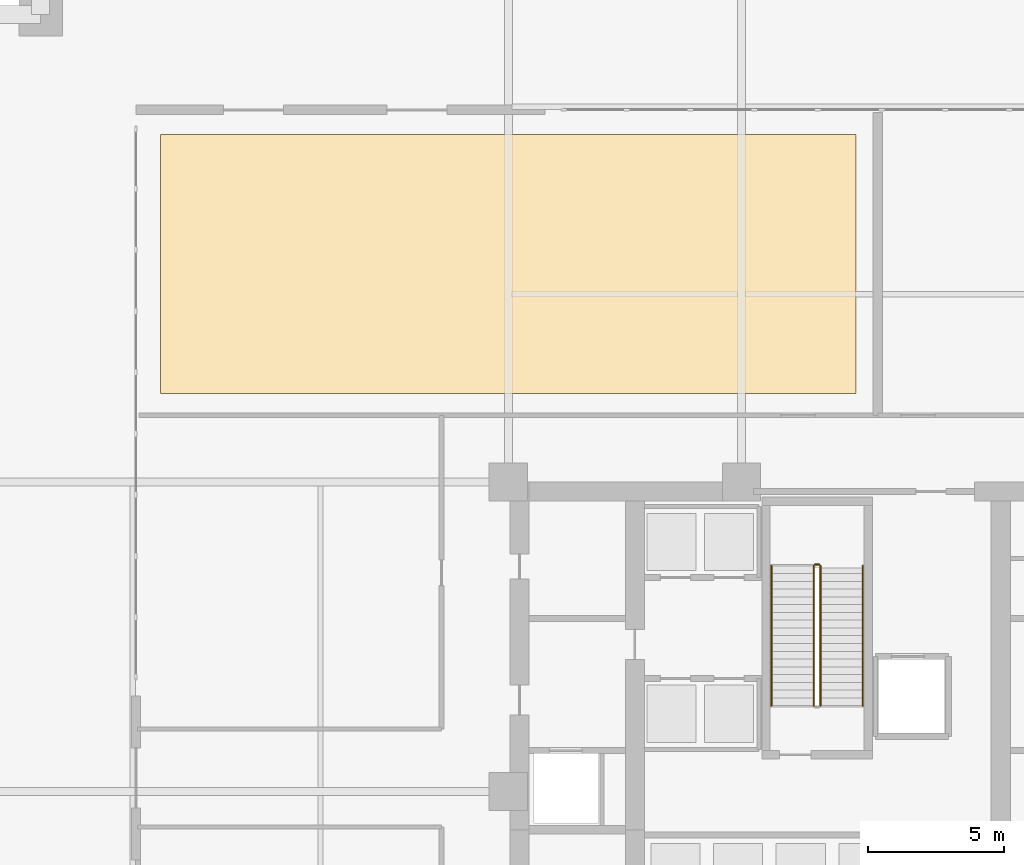
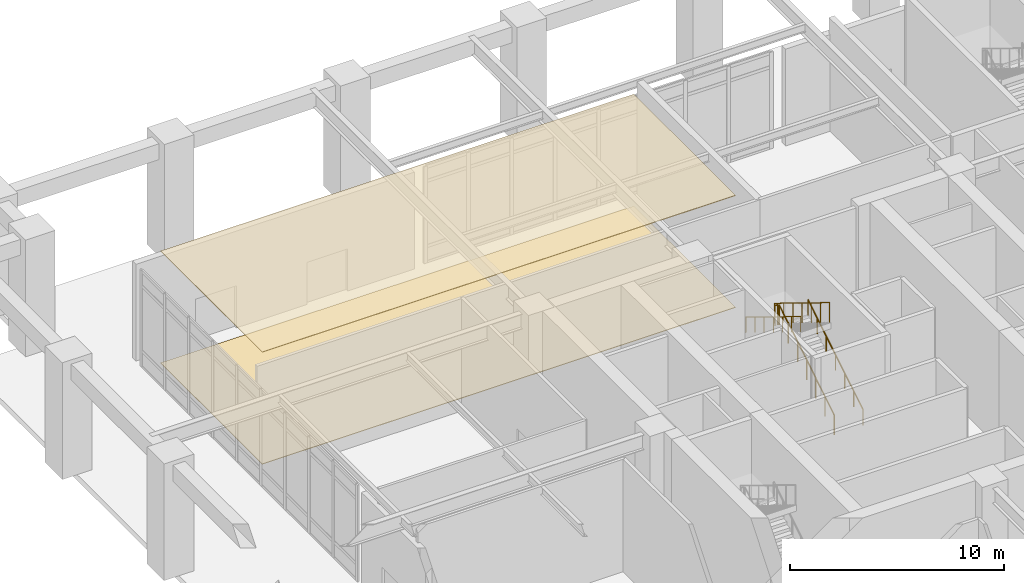
# One storey, part 15 of 17: 5 railings, 2 coverings.
"""IFC4 building model written with IfcOpenShell, lengths in metres."""

from ifc_helpers import new_model, si_unit, direction, frame, origin, origin_2d, place, context, subcontext, project, spatial, polyline, circle, outline, extrude, material, layer, layer_set, type_object, element, save


model = new_model("IFC4")

# Units and contexts
model_context = context("Model", 3, precision=1e-05, world=origin(), true_north=direction((0.0, 1.0)))
body_context = subcontext(model_context, "Body", "Model", "MODEL_VIEW")
ifc_project = project(units=[si_unit("LENGTHUNIT", "METRE"), si_unit("AREAUNIT", "SQUARE_METRE"), si_unit("VOLUMEUNIT", "CUBIC_METRE"), si_unit("PLANEANGLEUNIT", "RADIAN"), si_unit("MASSUNIT", "GRAM", prefix="KILO")], contexts=[model_context])

# Site, building, storey
site_placement = place(None, origin())
site = spatial("IfcSite", under=ifc_project, at=site_placement, CompositionType="ELEMENT")
building_placement = place(site_placement, origin())
building = spatial("IfcBuilding", under=site, at=building_placement, Name="Nhamokura Convention Tower", CompositionType="ELEMENT")
storey_placement = place(building_placement, origin())
storey = spatial("IfcBuildingStorey", under=building, at=storey_placement, Name="L00", CompositionType="ELEMENT", Elevation=0.0)

# Coverings
ifc_material_1 = material(Name="Anodised bronze aluminium ceiling baffle", Category="aluminium")
ifc_layer_1 = layer(ifc_material_1, 0.0400390625)
ifc_layer_set_1 = layer_set([ifc_layer_1], Name="BronzeBaffleCeiling_40")
covering_type_1 = type_object("IfcCoveringType", Name="BronzeBaffleCeiling_40", PredefinedType="CEILING", material=ifc_layer_set_1)
covering_1_placement = place(storey_placement, frame((0.0, 0.0, 6.3701171875)))
element("IfcCovering", 1, at=covering_1_placement, inside=storey, type_object=covering_type_1, Name="L00 Suspended Ceiling 06", PredefinedType="CEILING", context=body_context, shape_type="SweptSolid", body=[
    extrude(outline(polyline([(7.89990234375, 46.60009765625), (33.39990234375, 46.60009765625), (33.39990234375, 56.10009765625), (7.89990234375, 56.10009765625), (7.89990234375, 46.60009765625)])), origin(), (0.0, 0.0, 1.0), 0.039794921875),
])
ifc_material_2 = material(Name="Polished Sabana granite terrazzo", Category="masonry")
ifc_layer_2 = layer(ifc_material_2, 0.030029296875)
ifc_layer_set_2 = layer_set([ifc_layer_2], Name="SabanaTerrazzoFlooring_30")
covering_type_2 = type_object("IfcCoveringType", Name="SabanaTerrazzoFlooring_30", PredefinedType="FLOORING", material=ifc_layer_set_2)
covering_2_placement = place(storey_placement, origin())
element("IfcCovering", 2, at=covering_2_placement, inside=storey, type_object=covering_type_2, Name="L00 Finish Flooring 06", PredefinedType="FLOORING", context=body_context, shape_type="SweptSolid", body=[
    extrude(outline(polyline([(7.89990234375, 46.60009765625), (33.39990234375, 46.60009765625), (33.39990234375, 56.10009765625), (7.89990234375, 56.10009765625), (7.89990234375, 46.60009765625)])), origin(), (0.0, 0.0, 1.0), 0.030029296875),
])

# Railings
ifc_material_3 = material(Name="Anodised bronze stainless steel", Category="steel")
railing_type_1 = type_object("IfcRailingType", Name="StairWallHandrail_900", PredefinedType="HANDRAIL", material=ifc_material_3)
railing_1_placement = place(storey_placement, frame((33.64990234375, 35.14990234375, 0.175048828125)))
element("IfcRailing", 3, at=railing_1_placement, inside=storey, type_object=railing_type_1, Name="L00 ST-03 stair handrail 1", PredefinedType="HANDRAIL", context=body_context, shape_type="SweptSolid", body=[
    extrude(circle(Radius=0.02392578125, at=origin_2d()), frame((0.0, 0.0, 0.8759765625), z_axis=(0.0, 0.852184233181, 0.523241849165), x_axis=(-1.0, 0.0, 0.0)), (0.0, 0.0, 1.0), 6.02001953125),
    extrude(circle(Radius=0.02099609375, at=origin_2d()), origin(), (0.0, 0.0, 1.0), 0.851806640625),
    extrude(circle(Radius=0.02099609375, at=origin_2d()), frame((0.0, 0.85498046875, 0.52490234375)), (0.0, 0.0, 1.0), 0.851806640625),
    extrude(circle(Radius=0.02099609375, at=origin_2d()), frame((0.0, 1.7099609375, 1.050048828125)), (0.0, 0.0, 1.0), 0.851806640625),
    extrude(circle(Radius=0.02099609375, at=origin_2d()), frame((0.0, 2.56494140625, 1.574951171875)), (0.0, 0.0, 1.0), 0.851806640625),
    extrude(circle(Radius=0.02099609375, at=origin_2d()), frame((0.0, 3.420166015625, 2.099853515625)), (0.0, 0.0, 1.0), 0.851806640625),
    extrude(circle(Radius=0.02099609375, at=origin_2d()), frame((0.0, 4.275146484375, 2.625)), (0.0, 0.0, 1.0), 0.851806640625),
    extrude(circle(Radius=0.02099609375, at=origin_2d()), frame((0.0, 5.130126953125, 3.14990234375)), (0.0, 0.0, 1.0), 0.851806640625),
])
railing_2_placement = place(storey_placement, frame((30.300048828125, 40.280029296875, 3.5)))
element("IfcRailing", 4, at=railing_2_placement, inside=storey, type_object=railing_type_1, Name="L00 ST-03 stair handrail 2", PredefinedType="HANDRAIL", context=body_context, shape_type="SweptSolid", body=[
    extrude(circle(Radius=0.02392578125, at=origin_2d()), frame((0.0, 0.0, 0.8759765625), z_axis=(0.0, -0.852184233181, 0.523241849165), x_axis=(1.0, 0.0, 0.0)), (0.0, 0.0, 1.0), 6.02001953125),
    extrude(circle(Radius=0.02099609375, at=origin_2d()), origin(), (0.0, 0.0, 1.0), 0.851806640625),
    extrude(circle(Radius=0.02099609375, at=origin_2d()), frame((0.0, -0.85498046875, 0.52490234375)), (0.0, 0.0, 1.0), 0.851806640625),
    extrude(circle(Radius=0.02099609375, at=origin_2d()), frame((0.0, -1.7099609375, 1.050048828125)), (0.0, 0.0, 1.0), 0.851806640625),
    extrude(circle(Radius=0.02099609375, at=origin_2d()), frame((0.0, -2.56494140625, 1.574951171875)), (0.0, 0.0, 1.0), 0.851806640625),
    extrude(circle(Radius=0.02099609375, at=origin_2d()), frame((0.0, -3.420166015625, 2.099853515625)), (0.0, 0.0, 1.0), 0.851806640625),
    extrude(circle(Radius=0.02099609375, at=origin_2d()), frame((0.0, -4.275146484375, 2.625)), (0.0, 0.0, 1.0), 0.851806640625),
    extrude(circle(Radius=0.02099609375, at=origin_2d()), frame((0.0, -5.130126953125, 3.14990234375)), (0.0, 0.0, 1.0), 0.851806640625),
])
ifc_material_4 = material(Name="Painted tubular steel", Category="steel")
railing_type_2 = type_object("IfcRailingType", Name="StairWellGuardrail_1150", PredefinedType="GUARDRAIL", material=ifc_material_4)
railing_3_placement = place(storey_placement, frame((32.10009765625, 35.14990234375, 0.175048828125)))
element("IfcRailing", 5, at=railing_3_placement, inside=storey, type_object=railing_type_2, Name="L00 ST-03 stair guard 1", PredefinedType="GUARDRAIL", context=body_context, shape_type="SweptSolid", body=[
    extrude(circle(Radius=0.02392578125, at=origin_2d()), frame((0.0, 0.0, 1.1259765625), z_axis=(0.0, 0.852184233181, 0.523241849165), x_axis=(-1.0, 0.0, 0.0)), (0.0, 0.0, 1.0), 6.02001953125),
    extrude(circle(Radius=0.02099609375, at=origin_2d()), origin(), (0.0, 0.0, 1.0), 1.101806640625),
    extrude(circle(Radius=0.02099609375, at=origin_2d()), frame((0.0, 0.85498046875, 0.52490234375)), (0.0, 0.0, 1.0), 1.101806640625),
    extrude(circle(Radius=0.02099609375, at=origin_2d()), frame((0.0, 1.7099609375, 1.050048828125)), (0.0, 0.0, 1.0), 1.101806640625),
    extrude(circle(Radius=0.02099609375, at=origin_2d()), frame((0.0, 2.56494140625, 1.574951171875)), (0.0, 0.0, 1.0), 1.101806640625),
    extrude(circle(Radius=0.02099609375, at=origin_2d()), frame((0.0, 3.420166015625, 2.099853515625)), (0.0, 0.0, 1.0), 1.101806640625),
    extrude(circle(Radius=0.02099609375, at=origin_2d()), frame((0.0, 4.275146484375, 2.625)), (0.0, 0.0, 1.0), 1.101806640625),
    extrude(circle(Radius=0.02099609375, at=origin_2d()), frame((0.0, 5.130126953125, 3.14990234375)), (0.0, 0.0, 1.0), 1.101806640625),
])
railing_4_placement = place(storey_placement, frame((32.050048828125, 40.330078125, 3.324951171875)))
element("IfcRailing", 6, at=railing_4_placement, inside=storey, type_object=railing_type_2, Name="L00 ST-03 stair guard 2", PredefinedType="GUARDRAIL", context=body_context, shape_type="SweptSolid", body=[
    extrude(circle(Radius=0.02392578125, at=origin_2d()), frame((0.0, 0.0, 1.1259765625), z_axis=(-1.0, 0.0, 0.0), x_axis=(0.0, -1.0, 0.0)), (0.0, 0.0, 1.0), 0.150146484375),
    extrude(circle(Radius=0.02099609375, at=origin_2d()), origin(), (0.0, 0.0, 1.0), 1.101806640625),
    extrude(circle(Radius=0.02099609375, at=origin_2d()), frame((-0.150146484375, 0.0, 0.0)), (0.0, 0.0, 1.0), 1.101806640625),
])
railing_5_placement = place(storey_placement, frame((31.85009765625, 40.280029296875, 3.5)))
element("IfcRailing", 7, at=railing_5_placement, inside=storey, type_object=railing_type_2, Name="L00 ST-03 stair guard 3", PredefinedType="GUARDRAIL", context=body_context, shape_type="SweptSolid", body=[
    extrude(circle(Radius=0.02392578125, at=origin_2d()), frame((0.0, 0.0, 1.1259765625), z_axis=(0.0, -0.852184233181, 0.523241849165), x_axis=(1.0, 0.0, 0.0)), (0.0, 0.0, 1.0), 6.02001953125),
    extrude(circle(Radius=0.02099609375, at=origin_2d()), origin(), (0.0, 0.0, 1.0), 1.101806640625),
    extrude(circle(Radius=0.02099609375, at=origin_2d()), frame((0.0, -0.85498046875, 0.52490234375)), (0.0, 0.0, 1.0), 1.101806640625),
    extrude(circle(Radius=0.02099609375, at=origin_2d()), frame((0.0, -1.7099609375, 1.050048828125)), (0.0, 0.0, 1.0), 1.101806640625),
    extrude(circle(Radius=0.02099609375, at=origin_2d()), frame((0.0, -2.56494140625, 1.574951171875)), (0.0, 0.0, 1.0), 1.101806640625),
    extrude(circle(Radius=0.02099609375, at=origin_2d()), frame((0.0, -3.420166015625, 2.099853515625)), (0.0, 0.0, 1.0), 1.101806640625),
    extrude(circle(Radius=0.02099609375, at=origin_2d()), frame((0.0, -4.275146484375, 2.625)), (0.0, 0.0, 1.0), 1.101806640625),
    extrude(circle(Radius=0.02099609375, at=origin_2d()), frame((0.0, -5.130126953125, 3.14990234375)), (0.0, 0.0, 1.0), 1.101806640625),
])

save(model, "model.ifc")
